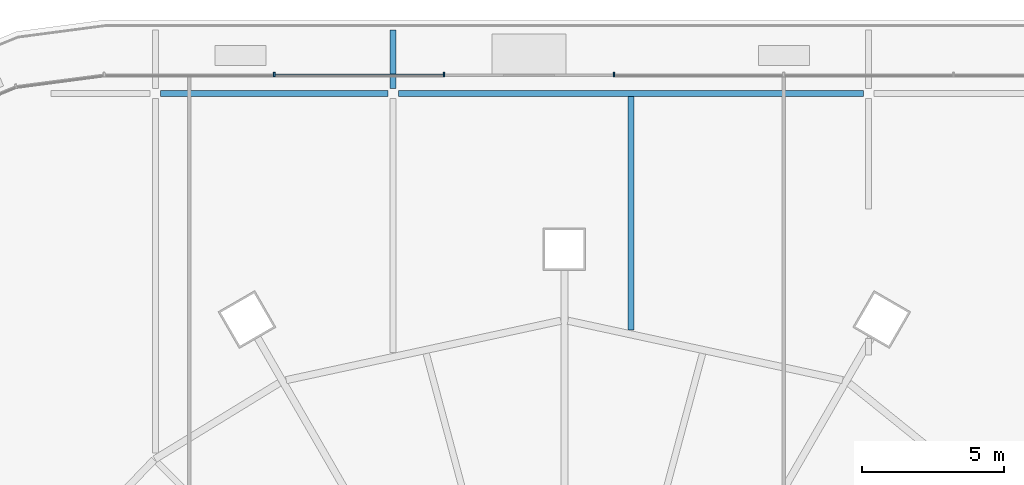
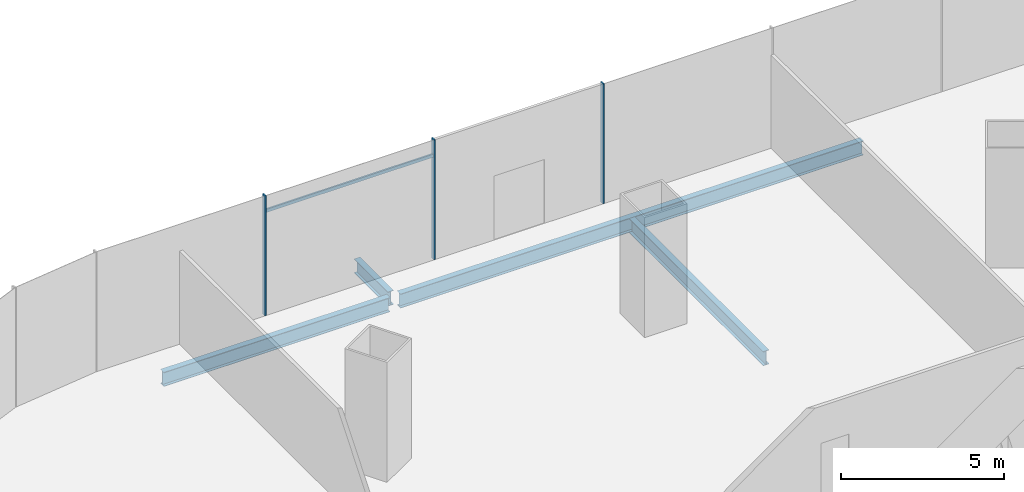
# One storey, part 18 of 52: 4 beams, 4 members, 1 element without a shape of its own.
"""IFC4 building model written with IfcOpenShell, lengths in metres."""

from ifc_helpers import new_model, si_unit, direction, frame, origin, origin_2d, place, context, subcontext, project, spatial, rectangle, i_section, extrude, material, material_profile, profile_set, type_object, element, aggregate, save


model = new_model("IFC4")

# Units and contexts
model_context = context("Model", 3, precision=1e-05, world=origin(), true_north=direction((0.0, 1.0)))
body_context = subcontext(model_context, "Body", "Model", "MODEL_VIEW")
ifc_project = project(units=[si_unit("LENGTHUNIT", "METRE"), si_unit("AREAUNIT", "SQUARE_METRE"), si_unit("VOLUMEUNIT", "CUBIC_METRE"), si_unit("PLANEANGLEUNIT", "RADIAN"), si_unit("MASSUNIT", "GRAM", prefix="KILO")], contexts=[model_context])

# Site, building, storey
site_placement = place(None, origin())
site = spatial("IfcSite", under=ifc_project, at=site_placement, CompositionType="ELEMENT")
building_placement = place(site_placement, origin())
building = spatial("IfcBuilding", under=site, at=building_placement, Name="Rimbun Link Towers", CompositionType="ELEMENT")
storey_placement = place(building_placement, frame((0.0, 0.0, 21.0)))
storey = spatial("IfcBuildingStorey", under=building, at=storey_placement, Name="L04", CompositionType="ELEMENT", Elevation=21.0)

# Curtain wall, members
ifc_material_1 = material(Name="Aluminium 6063-T6 and low-iron glass", Category="aluminium")
curtain_wall_type = type_object("IfcCurtainWallType", Name="CW3 podium shopfront", PredefinedType="NOTDEFINED", material=ifc_material_1)
curtain_wall_placement = place(storey_placement, origin())
curtain_wall = element("IfcCurtainWall", 1, at=curtain_wall_placement, inside=storey, type_object=curtain_wall_type, Name="CW3 L04 PD", PredefinedType="NOTDEFINED")
ifc_material_2 = material(Name="Aluminium 6063-T6", Category="aluminium")
ifc_material_profile_1 = material_profile(ifc_material_2, rectangle(XDim=0.14990234375, YDim=0.06005859375, at=origin_2d()), Name="MULLION 60X150")
ifc_profile_set_1 = profile_set([ifc_material_profile_1], Name="Aluminium 6063-T6")
member_type_1 = type_object("IfcMemberType", Name="CW3 mullion 60X150", PredefinedType="MULLION", material=ifc_profile_set_1)
member_1_placement = place(storey_placement, frame((-30.0, 28.074951171875, 0.0), z_axis=(0.0, 0.0, 1.0), x_axis=(0.0, 1.0, 0.0)))
member_1 = element("IfcMember", 2, at=member_1_placement, type_object=member_type_1, Name="CW3 mullion", PredefinedType="MULLION", context=body_context, shape_type="SweptSolid", body=[
    extrude(rectangle(XDim=0.14990234375, YDim=0.06005859375, at=origin_2d()), origin(), (0.0, 0.0, 1.0), 4.5),
])
member_2_placement = place(storey_placement, frame((-36.0, 28.074951171875, 0.0), z_axis=(0.0, 0.0, 1.0), x_axis=(0.0, 1.0, 0.0)))
member_2 = element("IfcMember", 3, at=member_2_placement, type_object=member_type_1, Name="CW3 mullion", PredefinedType="MULLION", context=body_context, shape_type="SweptSolid", body=[
    extrude(rectangle(XDim=0.14990234375, YDim=0.06005859375, at=origin_2d()), origin(), (0.0, 0.0, 1.0), 4.5),
])
member_3_placement = place(storey_placement, frame((-42.0, 28.074951171875, 0.0), z_axis=(0.0, 0.0, 1.0), x_axis=(0.0, 1.0, 0.0)))
member_3 = element("IfcMember", 4, at=member_3_placement, type_object=member_type_1, Name="CW3 mullion", PredefinedType="MULLION", context=body_context, shape_type="SweptSolid", body=[
    extrude(rectangle(XDim=0.14990234375, YDim=0.06005859375, at=origin_2d()), origin(), (0.0, 0.0, 1.0), 4.5),
])
ifc_material_3 = material(Name="Aluminium 6063-T6", Category="aluminium")
ifc_material_profile_2 = material_profile(ifc_material_3, rectangle(XDim=0.06005859375, YDim=0.1201171875, at=origin_2d()), Name="TRANSOM 60X120")
ifc_profile_set_2 = profile_set([ifc_material_profile_2], Name="Aluminium 6063-T6")
member_type_2 = type_object("IfcMemberType", Name="CW3 transom 60X120", PredefinedType="USERDEFINED", material=ifc_profile_set_2)
member_4_placement = place(storey_placement, frame((-41.969970703125, 28.053955078125, 3.89990234375), z_axis=(1.0, 0.0, 0.0), x_axis=(0.0, 1.0, 0.0)))
member_4 = element("IfcMember", 5, at=member_4_placement, type_object=member_type_2, Name="CW3 transom", ObjectType="TRANSOM", PredefinedType="USERDEFINED", context=body_context, shape_type="SweptSolid", body=[
    extrude(rectangle(XDim=0.06005859375, YDim=0.1201171875, at=origin_2d()), origin(), (0.0, 0.0, 1.0), 5.93994140625),
])
aggregate(curtain_wall, [member_1, member_2, member_3, member_4])

# Beams
ifc_material_4 = material(Name="Steel S355J2", Category="steel")
ifc_material_profile_3 = material_profile(ifc_material_4, i_section(OverallWidth=0.209228515625, OverallDepth=0.533203125, WebThickness=0.010009765625, FlangeThickness=0.015625, at=origin_2d()), Name="UB 533x210x92")
ifc_profile_set_3 = profile_set([ifc_material_profile_3], Name="Steel S355J2")
beam_type = type_object("IfcBeamType", Name="UB 533x210x92", PredefinedType="BEAM", material=ifc_profile_set_3)
beam_1_placement = place(storey_placement, frame((-46.014892578125, 27.39990234375, -0.56640625), z_axis=(1.0, 0.0, 0.0), x_axis=(0.0, 1.0, 0.0)))
element("IfcBeam", 6, at=beam_1_placement, inside=storey, type_object=beam_type, Name="Grid beam L04 +27.4", PredefinedType="BEAM", context=body_context, shape_type="SweptSolid", body=[
    extrude(i_section(OverallWidth=0.209228515625, OverallDepth=0.533203125, WebThickness=0.010009765625, FlangeThickness=0.015625, at=origin_2d()), origin(), (0.0, 0.0, 1.0), 8.02978515625),
])
beam_2_placement = place(storey_placement, frame((-37.61474609375, 27.39990234375, -0.56640625), z_axis=(1.0, 0.0, 0.0), x_axis=(0.0, 1.0, 0.0)))
element("IfcBeam", 7, at=beam_2_placement, inside=storey, type_object=beam_type, Name="Grid beam L04 +27.4", PredefinedType="BEAM", context=body_context, shape_type="SweptSolid", body=[
    extrude(i_section(OverallWidth=0.209228515625, OverallDepth=0.533203125, WebThickness=0.010009765625, FlangeThickness=0.015625, at=origin_2d()), origin(), (0.0, 0.0, 1.0), 16.429443359375),
])
beam_3_placement = place(storey_placement, frame((-37.800048828125, 27.5810546875, -0.56640625), z_axis=(0.0, 1.0, 0.0), x_axis=(-1.0, 0.0, 0.0)))
element("IfcBeam", 8, at=beam_3_placement, inside=storey, type_object=beam_type, Name="Grid beam L04 -37.8", PredefinedType="BEAM", context=body_context, shape_type="SweptSolid", body=[
    extrude(i_section(OverallWidth=0.209228515625, OverallDepth=0.533203125, WebThickness=0.010009765625, FlangeThickness=0.015625, at=origin_2d()), origin(), (0.0, 0.0, 1.0), 2.06787109375),
])
beam_4_placement = place(storey_placement, frame((-29.39990234375, 19.0478515625, -0.56640625), z_axis=(0.0, 1.0, 0.0), x_axis=(-1.0, 0.0, 0.0)))
element("IfcBeam", 9, at=beam_4_placement, inside=storey, type_object=beam_type, Name="Grid beam L04 -29.4", PredefinedType="BEAM", context=body_context, shape_type="SweptSolid", body=[
    extrude(i_section(OverallWidth=0.209228515625, OverallDepth=0.533203125, WebThickness=0.010009765625, FlangeThickness=0.015625, at=origin_2d()), origin(), (0.0, 0.0, 1.0), 8.24755859375),
])

save(model, "model.ifc")
